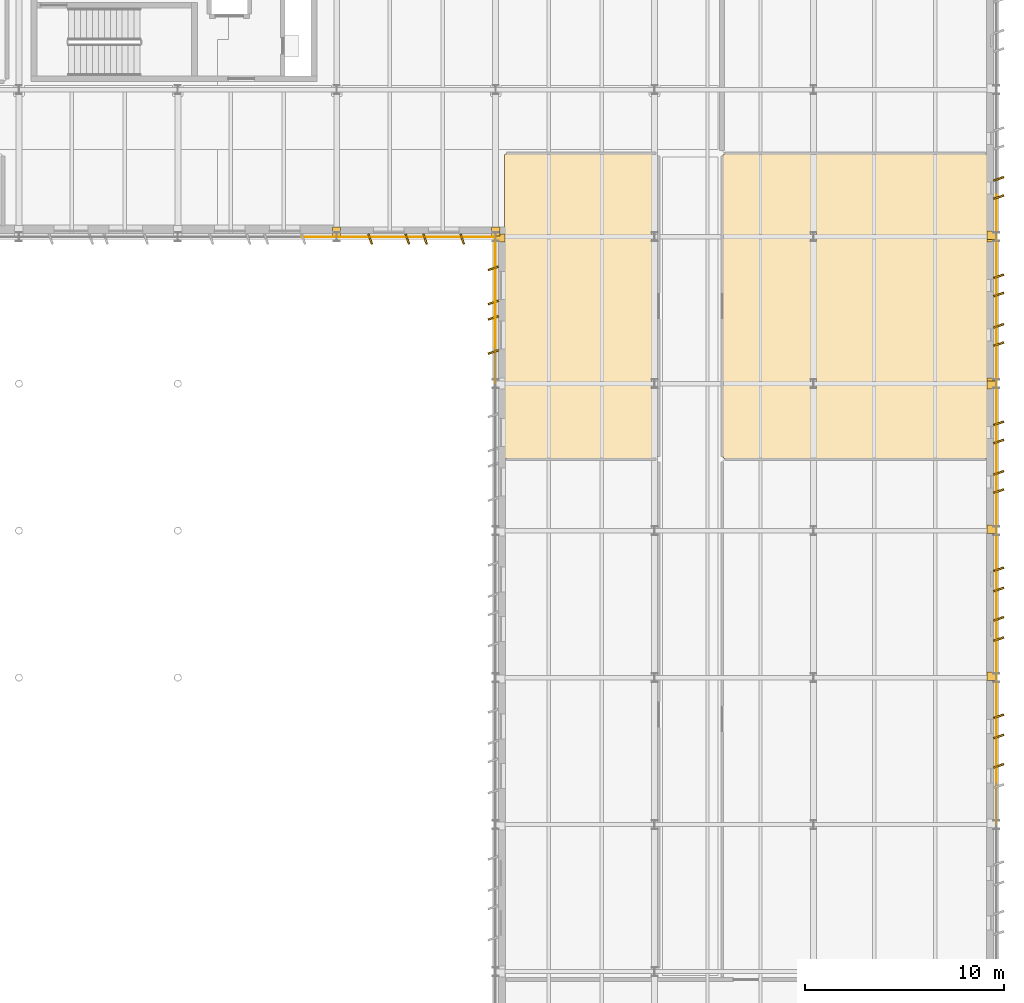
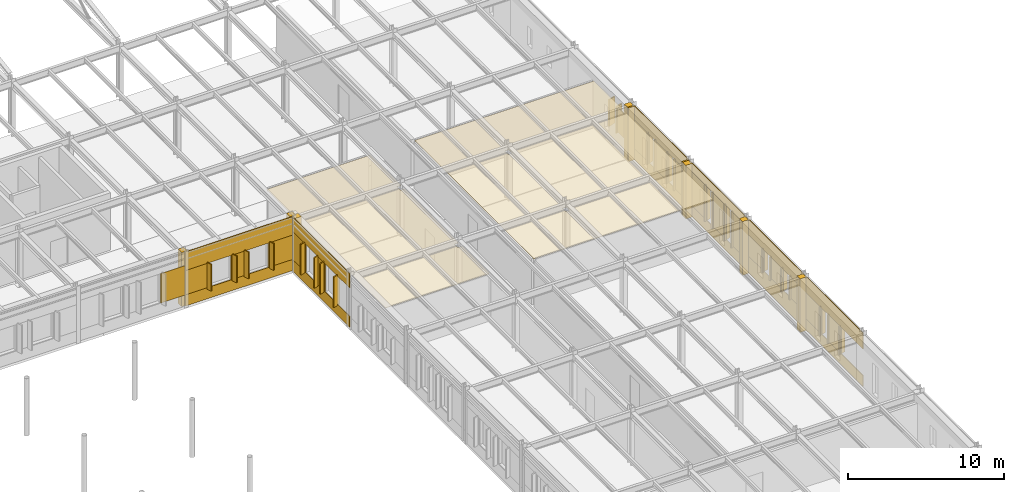
# One storey, part 73 of 75: 66 coverings.
"""IFC4 building model written with IfcOpenShell, lengths in metres."""

import ifcopenshell
import ifcopenshell.guid

model = None  # the IFC model being written
_history = None  # IfcOwnerHistory: only IFC2X3 demands one
_inside = {}  # id of a spatial element -> (the spatial element, [elements in it])
_under = {}  # id of a project, library or spatial element -> (it, [spatial elements below it])
_declared = {}  # id of a project -> (the project, [libraries it declares])
_typed = {}  # id of a type object -> (the type object, [elements of that type])
_made_of = {}  # id of a material, layer set ... -> (it, [elements and type objects made of it])


def new_model(schema):
    """Start an empty IFC model of exactly this schema.

    Asked for "IFC4X3", IfcOpenShell would pick the latest addendum, in which some entities
    have other attributes; the version numbers below select the first issue.
    IFC2X3 requires an IfcOwnerHistory on every rooted entity: one is made here for all.
    """
    global model, _history
    if schema == "IFC4X3":
        model = ifcopenshell.file(schema_version=(4, 3, 0, 0))
    else:
        model = ifcopenshell.file(schema=schema)
    _inside.clear()
    _under.clear()
    _declared.clear()
    _typed.clear()
    _made_of.clear()
    _history = None
    if model.schema == "IFC2X3":
        org = make("IfcOrganization", Name="unknown")
        user = make(
            "IfcPersonAndOrganization",
            ThePerson=make("IfcPerson", FamilyName="unknown"),
            TheOrganization=org,
        )
        app = make(
            "IfcApplication",
            ApplicationDeveloper=org,
            Version="unknown",
            ApplicationFullName="unknown",
            ApplicationIdentifier="unknown",
        )
        _history = make(
            "IfcOwnerHistory",
            OwningUser=user,
            OwningApplication=app,
            ChangeAction="ADDED",
            CreationDate=0,
        )
    return model


def make(cls, **values):
    """One entity of the class cls with the attributes given. An attribute that is None is left unset."""
    return model.create_entity(
        cls, **{name: value for name, value in values.items() if value is not None}
    )


def rooted(cls, **values):
    """An entity with a GlobalId (a new one), such as an element, a storey or a relation."""
    return make(cls, GlobalId=ifcopenshell.guid.new(), OwnerHistory=_history, **values)


def si_unit(unit_type, name, prefix=None):
    """IfcSIUnit, for example si_unit("LENGTHUNIT", "METRE", prefix="MILLI")."""
    return make("IfcSIUnit", UnitType=unit_type, Prefix=prefix, Name=name)


def assignment(units):
    """IfcUnitAssignment: the units of a project."""
    return None if units is None else make("IfcUnitAssignment", Units=units)


def point(xyz):
    """IfcCartesianPoint."""
    return None if xyz is None else make("IfcCartesianPoint", Coordinates=xyz)


def direction(xyz):
    """IfcDirection."""
    return None if xyz is None else make("IfcDirection", DirectionRatios=xyz)


def frame(location, z_axis=None, x_axis=None):
    """IfcAxis2Placement3D, a coordinate frame: its origin and axes. An axis left out is left unset."""
    return make(
        "IfcAxis2Placement3D",
        Location=point(location),
        Axis=direction(z_axis),
        RefDirection=direction(x_axis),
    )


def frame_2d(location, x_axis=None):
    """IfcAxis2Placement2D, a coordinate frame in the plane: its origin and x axis."""
    return make(
        "IfcAxis2Placement2D", Location=point(location), RefDirection=direction(x_axis)
    )


def origin():
    """The frame at (0, 0, 0) with its axes left unset."""
    return frame((0.0, 0.0, 0.0))


def origin_2d():
    """The frame at (0, 0) in the plane with its x axis left unset."""
    return frame_2d((0.0, 0.0))


def place(relative_to, where):
    """IfcLocalPlacement: puts the frame where relative to a parent placement (None: the world)."""
    return make(
        "IfcLocalPlacement", PlacementRelTo=relative_to, RelativePlacement=where
    )


def context(
    kind, dimensions, precision=None, world=None, true_north=None, identifier=None
):
    """IfcGeometricRepresentationContext, for example the 3D "Model" context."""
    return make(
        "IfcGeometricRepresentationContext",
        ContextIdentifier=identifier,
        ContextType=kind,
        CoordinateSpaceDimension=dimensions,
        Precision=precision,
        WorldCoordinateSystem=world,
        TrueNorth=true_north,
    )


def subcontext(parent, identifier, kind, view, scale=None):
    """IfcGeometricRepresentationSubContext, for example "Body" below "Model"."""
    return make(
        "IfcGeometricRepresentationSubContext",
        ContextIdentifier=identifier,
        ContextType=kind,
        ParentContext=parent,
        TargetScale=scale,
        TargetView=view,
    )


def project(units=None, contexts=None):
    """IfcProject with its units and contexts."""
    return rooted(
        "IfcProject",
        Name="project",
        RepresentationContexts=contexts,
        UnitsInContext=assignment(units),
    )


def spatial(cls, under=None, at=None, **own):
    """A site, building, storey or space (cls), placed at a placement, below another one or the project."""
    s = rooted(cls, ObjectPlacement=at, **own)
    if under is not None:
        _under.setdefault(under.id(), (under, []))[1].append(s)
    return s


def polyline(points):
    """IfcPolyline through the points."""
    return make("IfcPolyline", Points=[point(p) for p in points])


def profile(cls, at=None, kind="AREA", **sizes):
    """A parametric profile (cls). Its sizes go by their IFC names, for example OverallWidth=200.0."""
    return make(cls, ProfileType=kind, Position=at, **sizes)


def rectangle(**sizes):
    """IfcRectangleProfileDef."""
    return profile("IfcRectangleProfileDef", **sizes)


def outline(outer, holes=None, kind="AREA"):
    """IfcArbitraryClosedProfileDef: a profile drawn as a closed curve; with holes, ...WithVoids."""
    if holes is None:
        return make("IfcArbitraryClosedProfileDef", ProfileType=kind, OuterCurve=outer)
    return make(
        "IfcArbitraryProfileDefWithVoids",
        ProfileType=kind,
        OuterCurve=outer,
        InnerCurves=holes,
    )


def extrude(swept, where, along, depth):
    """IfcExtrudedAreaSolid: the profile swept, set in the frame where, extruded along a direction by depth."""
    return make(
        "IfcExtrudedAreaSolid",
        SweptArea=swept,
        Position=where,
        ExtrudedDirection=direction(along),
        Depth=depth,
    )


def shape(context_of_items, identifier, shape_type, items):
    """IfcShapeRepresentation: the items that make up one representation, for example the "Body"."""
    return make(
        "IfcShapeRepresentation",
        ContextOfItems=context_of_items,
        RepresentationIdentifier=identifier,
        RepresentationType=shape_type,
        Items=items,
    )


def material(Name=None, Category=None):
    """IfcMaterial."""
    return make("IfcMaterial", Name=Name, Category=Category)


def layer(
    of_material, thickness, ventilated=None, Name=None, Category=None, Priority=None
):
    """IfcMaterialLayer: one layer of a wall or slab, of a material (None: an air gap)."""
    return make(
        "IfcMaterialLayer",
        Material=of_material,
        LayerThickness=thickness,
        IsVentilated=ventilated,
        Name=Name,
        Category=Category,
        Priority=Priority,
    )


def layer_set(layers, Name=None):
    """IfcMaterialLayerSet."""
    return make("IfcMaterialLayerSet", MaterialLayers=layers, LayerSetName=Name)


def made_of(thing, what):
    """Note that an element or type object is made of a material, layer set ...; save() writes the relation."""
    if what is not None:
        _made_of.setdefault(what.id(), (what, []))[1].append(thing)
    return thing


def type_object(cls, material=None, **own):
    """A type object (cls), such as IfcWallType, which elements share."""
    return made_of(rooted(cls, **own), material)


def element(
    cls,
    number,
    at=None,
    inside=None,
    cuts=None,
    type_object=None,
    material=None,
    context=None,
    identifier="Body",
    shape_type=None,
    held_by="IfcProductDefinitionShape",
    body=None,
    shapes=None,
    **own,
):
    """One element of the class cls, such as IfcWall. Its Tag is "e" and its number.

    at: its placement. inside: the storey or other place that contains it. cuts: it is an
    opening in that element (IfcRelVoidsElement). A single representation is given by context,
    identifier, shape_type and body (its items); several are given by shapes. held_by: the class
    of the entity that holds the representations. save() writes the other relations.
    """
    e = rooted(cls, Tag="e%d" % number, ObjectPlacement=at, **own)
    if body is not None:
        shapes = [shape(context, identifier, shape_type, body)]
    if shapes is not None:
        e.Representation = make(held_by, Representations=shapes)
    if inside is not None:
        _inside.setdefault(inside.id(), (inside, []))[1].append(e)
    if cuts is not None:
        rooted(
            "IfcRelVoidsElement", RelatingBuildingElement=cuts, RelatedOpeningElement=e
        )
    if type_object is not None:
        _typed.setdefault(type_object.id(), (type_object, []))[1].append(e)
    return made_of(e, material)


def aggregate(whole, parts):
    """IfcRelAggregates: a whole, such as a stair, and the parts it consists of."""
    return rooted("IfcRelAggregates", RelatingObject=whole, RelatedObjects=parts)


def save(model, path):
    """Write the relations noted so far, then the file.

    IfcRelAggregates (storeys below a building ...), IfcRelContainedInSpatialStructure (elements
    in a storey), IfcRelDefinesByType, IfcRelAssociatesMaterial and IfcRelDeclares: one each for
    every whole, place, type object, material and project.
    """
    for whole, parts in _under.values():
        aggregate(whole, parts)
    for where, things in _inside.values():
        rooted(
            "IfcRelContainedInSpatialStructure",
            RelatedElements=things,
            RelatingStructure=where,
        )
    for kind, things in _typed.values():
        rooted("IfcRelDefinesByType", RelatedObjects=things, RelatingType=kind)
    for what, things in _made_of.values():
        rooted("IfcRelAssociatesMaterial", RelatedObjects=things, RelatingMaterial=what)
    for by, libraries in _declared.values():
        rooted("IfcRelDeclares", RelatingContext=by, RelatedDefinitions=libraries)
    model.write(path)


model = new_model("IFC4")

# Units and contexts
model_context = context("Model", 3, precision=1e-05, world=origin(), true_north=direction((0.0, 1.0)))
body_context = subcontext(model_context, "Body", "Model", "MODEL_VIEW")
ifc_project = project(units=[si_unit("LENGTHUNIT", "METRE"), si_unit("AREAUNIT", "SQUARE_METRE"), si_unit("VOLUMEUNIT", "CUBIC_METRE"), si_unit("PLANEANGLEUNIT", "RADIAN"), si_unit("MASSUNIT", "GRAM", prefix="KILO")], contexts=[model_context])

# Site, building, storey
site_placement = place(None, origin())
site = spatial("IfcSite", under=ifc_project, at=site_placement, CompositionType="ELEMENT")
building_placement = place(site_placement, origin())
building = spatial("IfcBuilding", under=site, at=building_placement, Name="Valkorina Park Police Headquarters", CompositionType="ELEMENT")
storey_placement = place(building_placement, frame((0.0, 0.0, 5.39990234375)))
storey = spatial("IfcBuildingStorey", under=building, at=storey_placement, Name="L02", CompositionType="ELEMENT", Elevation=5.39990234375)

# Coverings
ifc_material_1 = material(Name="Acoustic mineral board")
ifc_layer_1 = layer(ifc_material_1, 0.02490234375)
ifc_layer_set_1 = layer_set([ifc_layer_1], Name="Acoustic mineral board")
covering_type_1 = type_object("IfcCoveringType", Name="COV-CEILING-ACOUST", PredefinedType="CEILING", material=ifc_layer_set_1)
covering_1_placement = place(storey_placement, frame((0.0, 0.0, 3.625)))
element("IfcCovering", 1, at=covering_1_placement, inside=storey, type_object=covering_type_1, Name="Latent Fingerprint Enhancement Lab Acoustic Suspended Ceiling", PredefinedType="CEILING", context=body_context, shape_type="SweptSolid", body=[
    extrude(outline(polyline([(144.95849609375, 59.449462890625), (144.959716796875, 59.457275390625), (144.9599609375, 59.465087890625), (144.9599609375, 63.280029296875), (144.959716796875, 63.287841796875), (144.95849609375, 63.295654296875), (144.95654296875, 63.30322265625), (144.953857421875, 63.310546875), (144.95068359375, 63.317626953125), (144.946533203125, 63.324462890625), (144.94189453125, 63.330810546875), (144.9365234375, 63.336669921875), (144.930908203125, 63.341796875), (144.92431640625, 63.346435546875), (144.917724609375, 63.3505859375), (144.91064453125, 63.35400390625), (144.9033203125, 63.356689453125), (144.8955078125, 63.3583984375), (144.8876953125, 63.359619140625), (144.8798828125, 63.360107421875), (137.320068359375, 63.360107421875), (137.312255859375, 63.359619140625), (137.304443359375, 63.3583984375), (137.296875, 63.356689453125), (137.289306640625, 63.35400390625), (137.2822265625, 63.3505859375), (137.275634765625, 63.346435546875), (137.269287109375, 63.341796875), (137.263427734375, 63.336669921875), (137.25830078125, 63.330810546875), (137.25341796875, 63.324462890625), (137.24951171875, 63.317626953125), (137.24609375, 63.310546875), (137.243408203125, 63.30322265625), (137.241455078125, 63.295654296875), (137.240478515625, 63.287841796875), (137.239990234375, 63.280029296875), (137.239990234375, 48.1201171875), (137.240478515625, 48.1123046875), (137.241455078125, 48.1044921875), (137.243408203125, 48.0966796875), (137.24609375, 48.08935546875), (137.24951171875, 48.082275390625), (137.25341796875, 48.07568359375), (137.25830078125, 48.069091796875), (137.263427734375, 48.0634765625), (137.269287109375, 48.05810546875), (137.275634765625, 48.053466796875), (137.2822265625, 48.04931640625), (137.289306640625, 48.046142578125), (137.296875, 48.04345703125), (137.304443359375, 48.04150390625), (137.312255859375, 48.040283203125), (137.320068359375, 48.0400390625), (144.8798828125, 48.0400390625), (144.8876953125, 48.040283203125), (144.8955078125, 48.04150390625), (144.9033203125, 48.04345703125), (144.91064453125, 48.046142578125), (144.917724609375, 48.04931640625), (144.92431640625, 48.053466796875), (144.930908203125, 48.05810546875), (144.9365234375, 48.0634765625), (144.94189453125, 48.069091796875), (144.946533203125, 48.07568359375), (144.95068359375, 48.082275390625), (144.953857421875, 48.08935546875), (144.95654296875, 48.0966796875), (144.95849609375, 48.1044921875), (144.959716796875, 48.1123046875), (144.9599609375, 48.1201171875), (144.9599609375, 51.534912109375), (144.959716796875, 51.542724609375), (144.95849609375, 51.550537109375), (144.95654296875, 51.55810546875), (144.953857421875, 51.565673828125), (144.95068359375, 51.57275390625), (144.94921875, 51.574951171875), (144.64990234375, 51.574951171875), (144.64990234375, 52.02490234375), (144.94921875, 52.02490234375), (144.95068359375, 52.02734375), (144.953857421875, 52.034423828125), (144.95654296875, 52.041748046875), (144.95849609375, 52.04931640625), (144.959716796875, 52.05712890625), (144.9599609375, 52.06494140625), (144.9599609375, 58.93505859375), (144.959716796875, 58.94287109375), (144.95849609375, 58.95068359375), (144.95654296875, 58.958251953125), (144.953857421875, 58.965576171875), (144.95068359375, 58.97265625), (144.94921875, 58.97509765625), (144.64990234375, 58.97509765625), (144.64990234375, 59.425048828125), (144.94921875, 59.425048828125), (144.95068359375, 59.42724609375), (144.953857421875, 59.434326171875), (144.95654296875, 59.44189453125), (144.95849609375, 59.449462890625)])), origin(), (0.0, 0.0, 1.0), 0.025146484375),
])
covering_2_placement = place(storey_placement, frame((0.0, 0.0, 3.625)))
element("IfcCovering", 2, at=covering_2_placement, inside=storey, type_object=covering_type_1, Name="Questioned Documents Laboratory Acoustic Suspended Ceiling", PredefinedType="CEILING", context=body_context, shape_type="SweptSolid", body=[
    extrude(outline(polyline([(161.55859375, 48.1044921875), (161.5595703125, 48.1123046875), (161.56005859375, 48.1201171875), (161.56005859375, 63.280029296875), (161.5595703125, 63.287841796875), (161.55859375, 63.295654296875), (161.556640625, 63.30322265625), (161.553955078125, 63.310546875), (161.550537109375, 63.317626953125), (161.54638671875, 63.324462890625), (161.541748046875, 63.330810546875), (161.53662109375, 63.336669921875), (161.53076171875, 63.341796875), (161.5244140625, 63.346435546875), (161.517578125, 63.3505859375), (161.510498046875, 63.35400390625), (161.503173828125, 63.356689453125), (161.49560546875, 63.3583984375), (161.48779296875, 63.359619140625), (161.47998046875, 63.360107421875), (148.320068359375, 63.360107421875), (148.312255859375, 63.359619140625), (148.304443359375, 63.3583984375), (148.296875, 63.356689453125), (148.289306640625, 63.35400390625), (148.2822265625, 63.3505859375), (148.275634765625, 63.346435546875), (148.269287109375, 63.341796875), (148.263427734375, 63.336669921875), (148.25830078125, 63.330810546875), (148.25341796875, 63.324462890625), (148.24951171875, 63.317626953125), (148.24609375, 63.310546875), (148.243408203125, 63.30322265625), (148.241455078125, 63.295654296875), (148.240478515625, 63.287841796875), (148.239990234375, 63.280029296875), (148.239990234375, 48.1201171875), (148.240478515625, 48.1123046875), (148.241455078125, 48.1044921875), (148.243408203125, 48.0966796875), (148.24609375, 48.08935546875), (148.24951171875, 48.082275390625), (148.25341796875, 48.07568359375), (148.25830078125, 48.069091796875), (148.263427734375, 48.0634765625), (148.269287109375, 48.05810546875), (148.275634765625, 48.053466796875), (148.2822265625, 48.04931640625), (148.289306640625, 48.046142578125), (148.296875, 48.04345703125), (148.304443359375, 48.04150390625), (148.312255859375, 48.040283203125), (148.320068359375, 48.0400390625), (161.47998046875, 48.0400390625), (161.48779296875, 48.040283203125), (161.49560546875, 48.04150390625), (161.503173828125, 48.04345703125), (161.510498046875, 48.046142578125), (161.517578125, 48.04931640625), (161.5244140625, 48.053466796875), (161.53076171875, 48.05810546875), (161.53662109375, 48.0634765625), (161.541748046875, 48.069091796875), (161.54638671875, 48.07568359375), (161.550537109375, 48.082275390625), (161.553955078125, 48.08935546875), (161.556640625, 48.0966796875), (161.55859375, 48.1044921875)]), holes=[polyline([(152.949951171875, 51.574951171875), (152.64990234375, 51.574951171875), (152.64990234375, 52.02490234375), (152.949951171875, 52.02490234375), (152.949951171875, 51.574951171875)]), polyline([(152.949951171875, 58.97509765625), (152.64990234375, 58.97509765625), (152.64990234375, 59.425048828125), (152.949951171875, 59.425048828125), (152.949951171875, 58.97509765625)])]), origin(), (0.0, 0.0, 1.0), 0.025146484375),
])
ifc_material_2 = material(Name="Precast concrete C40/50", Category="concrete")
ifc_layer_2 = layer(ifc_material_2, 0.044921875)
ifc_layer_set_2 = layer_set([ifc_layer_2], Name="Precast concrete C40/50")
covering_type_2 = type_object("IfcCoveringType", Name="COV-CLAD-DOLOMITE", PredefinedType="CLADDING", material=ifc_layer_set_2)
covering_3_placement = place(storey_placement, frame((161.75, 59.264892578125, 0.0), z_axis=(0.0, 0.0, 1.0), x_axis=(0.0, 1.0, 0.0)))
element("IfcCovering", 3, at=covering_3_placement, inside=storey, type_object=covering_type_2, Name="L02 Exterior Joint Closure Pilaster B 1459", PredefinedType="CLADDING", context=body_context, shape_type="SweptSolid", body=[
    extrude(rectangle(XDim=0.419921875, YDim=0.449951171875, at=origin_2d()), origin(), (0.0, 0.0, 1.0), 4.199951171875),
])
for number, where, z_axis, x_axis, name in (
    (4, (162.1201171875, 62.112548828125, 0.7802734375), (0.0, 0.0, 1.0), (0.948323655206, 0.317304656405, 0.0), "Slanted 18.5-deg Precast Window Slot Fin 1462"),
    (5, (162.1201171875, 61.192626953125, 0.7802734375), (0.0, 0.0, 1.0), (0.948323655206, 0.317304656405, 0.0), "Slanted 18.5-deg Precast Window Slot Fin 1463"),
):
    element("IfcCovering", number, at=place(storey_placement, frame(where, z_axis=z_axis, x_axis=x_axis)), inside=storey, type_object=covering_type_2, Name=name, PredefinedType="CLADDING", context=body_context, shape_type="SweptSolid", body=[
        extrude(rectangle(XDim=0.5400390625, YDim=0.090087890625, at=origin_2d()), origin(), (0.0, 0.0, 1.0), 2.090087890625),
    ])
covering_4_placement = place(storey_placement, frame((162.014892578125, 61.302490234375, 0.8701171875), z_axis=(0.0, 0.0, 1.0), x_axis=(0.0, -1.0, 0.0)))
element("IfcCovering", 6, at=covering_4_placement, inside=storey, type_object=covering_type_2, Name="L02 Calm Concrete Base Slot Pier 1468", PredefinedType="CLADDING", context=body_context, shape_type="SweptSolid", body=[
    extrude(rectangle(XDim=2.08251953125, YDim=0.044921875, at=frame_2d((1.041259765625, 0.0))), origin(), (0.0, 0.0, 1.0), 1.909912109375),
])
for number, where, z_axis, x_axis, name in (
    (7, (161.75, 59.135009765625, 0.0), (0.0, 0.0, 1.0), (0.0, 1.0, 0.0), "L02 Exterior Joint Closure Pilaster A 1469"),
    (8, (161.75, 51.864990234375, 0.0), (0.0, 0.0, 1.0), (0.0, 1.0, 0.0), "L02 Exterior Joint Closure Pilaster B 1470"),
):
    element("IfcCovering", number, at=place(storey_placement, frame(where, z_axis=z_axis, x_axis=x_axis)), inside=storey, type_object=covering_type_2, Name=name, PredefinedType="CLADDING", context=body_context, shape_type="SweptSolid", body=[
        extrude(rectangle(XDim=0.419921875, YDim=0.449951171875, at=origin_2d()), origin(), (0.0, 0.0, 1.0), 4.199951171875),
    ])
for number, where, z_axis, x_axis, name in (
    (9, (162.1201171875, 57.20751953125, 0.780029296875), (0.0, 0.0, 1.0), (0.948323655206, 0.317304656405, 0.0), "Slanted 18.5-deg Precast Window Slot Fin 1471"),
    (10, (162.1201171875, 56.287353515625, 0.780029296875), (0.0, 0.0, 1.0), (0.948323655206, 0.317304656405, 0.0), "Slanted 18.5-deg Precast Window Slot Fin 1472"),
    (11, (162.1201171875, 54.712646484375, 0.780029296875), (0.0, 0.0, 1.0), (0.948323655206, 0.317304656405, 0.0), "Slanted 18.5-deg Precast Window Slot Fin 1473"),
    (12, (162.1201171875, 53.79248046875, 0.780029296875), (0.0, 0.0, 1.0), (0.948323655206, 0.317304656405, 0.0), "Slanted 18.5-deg Precast Window Slot Fin 1474"),
):
    element("IfcCovering", number, at=place(storey_placement, frame(where, z_axis=z_axis, x_axis=x_axis)), inside=storey, type_object=covering_type_2, Name=name, PredefinedType="CLADDING", context=body_context, shape_type="SweptSolid", body=[
        extrude(rectangle(XDim=0.5400390625, YDim=0.090087890625, at=origin_2d()), origin(), (0.0, 0.0, 1.0), 2.43994140625),
    ])
covering_5_placement = place(storey_placement, frame((162.014892578125, 59.179931640625, 0.0), z_axis=(0.0, 0.0, 1.0), x_axis=(0.0, -1.0, 0.0)))
element("IfcCovering", 13, at=covering_5_placement, inside=storey, type_object=covering_type_2, Name="L02 Calm Concrete Base Sill Spandrel 1475", PredefinedType="CLADDING", context=body_context, shape_type="SweptSolid", body=[
    extrude(rectangle(XDim=7.35986328125, YDim=0.044921875, at=frame_2d((3.679931640625, 0.0))), origin(), (0.0, 0.0, 1.0), 0.8701171875),
])
covering_6_placement = place(storey_placement, frame((162.014892578125, 59.179931640625, 3.130126953125), z_axis=(0.0, 0.0, 1.0), x_axis=(0.0, -1.0, 0.0)))
element("IfcCovering", 14, at=covering_6_placement, inside=storey, type_object=covering_type_2, Name="L02 Calm Concrete Base Lintel Spandrel 1476", PredefinedType="CLADDING", context=body_context, shape_type="SweptSolid", body=[
    extrude(rectangle(XDim=7.35986328125, YDim=0.044921875, at=frame_2d((3.679931640625, 0.0))), origin(), (0.0, 0.0, 1.0), 1.070068359375),
])
covering_7_placement = place(storey_placement, frame((162.014892578125, 59.179931640625, 0.8701171875), z_axis=(0.0, 0.0, 1.0), x_axis=(0.0, -1.0, 0.0)))
element("IfcCovering", 15, at=covering_7_placement, inside=storey, type_object=covering_type_2, Name="L02 Calm Concrete Base Slot Pier 1477", PredefinedType="CLADDING", context=body_context, shape_type="SweptSolid", body=[
    extrude(rectangle(XDim=2.08251953125, YDim=0.044921875, at=frame_2d((1.041259765625, 0.0))), origin(), (0.0, 0.0, 1.0), 2.260009765625),
])
covering_8_placement = place(storey_placement, frame((162.014892578125, 56.3974609375, 0.8701171875), z_axis=(0.0, 0.0, 1.0), x_axis=(0.0, -1.0, 0.0)))
element("IfcCovering", 16, at=covering_8_placement, inside=storey, type_object=covering_type_2, Name="L02 Calm Concrete Base Slot Pier 1478", PredefinedType="CLADDING", context=body_context, shape_type="SweptSolid", body=[
    extrude(rectangle(XDim=1.794921875, YDim=0.044921875, at=frame_2d((0.8974609375, 0.0))), origin(), (0.0, 0.0, 1.0), 2.260009765625),
])
covering_9_placement = place(storey_placement, frame((162.014892578125, 53.902587890625, 0.8701171875), z_axis=(0.0, 0.0, 1.0), x_axis=(0.0, -1.0, 0.0)))
element("IfcCovering", 17, at=covering_9_placement, inside=storey, type_object=covering_type_2, Name="L02 Calm Concrete Base Slot Pier 1479", PredefinedType="CLADDING", context=body_context, shape_type="SweptSolid", body=[
    extrude(rectangle(XDim=2.08251953125, YDim=0.044921875, at=frame_2d((1.041259765625, 0.0))), origin(), (0.0, 0.0, 1.0), 2.260009765625),
])
for number, where, z_axis, x_axis, name in (
    (18, (161.75, 51.735107421875, 0.0), (0.0, 0.0, 1.0), (0.0, 1.0, 0.0), "L02 Exterior Joint Closure Pilaster A 1480"),
    (19, (161.75, 44.465087890625, 0.0), (0.0, 0.0, 1.0), (0.0, 1.0, 0.0), "L02 Exterior Joint Closure Pilaster B 1481"),
):
    element("IfcCovering", number, at=place(storey_placement, frame(where, z_axis=z_axis, x_axis=x_axis)), inside=storey, type_object=covering_type_2, Name=name, PredefinedType="CLADDING", context=body_context, shape_type="SweptSolid", body=[
        extrude(rectangle(XDim=0.419921875, YDim=0.449951171875, at=origin_2d()), origin(), (0.0, 0.0, 1.0), 4.199951171875),
    ])
for number, where, z_axis, x_axis, name in (
    (20, (162.1201171875, 49.807373046875, 0.7802734375), (0.0, 0.0, 1.0), (0.948323655206, 0.317304656405, 0.0), "Slanted 18.5-deg Precast Window Slot Fin 1482"),
    (21, (162.1201171875, 48.887451171875, 0.7802734375), (0.0, 0.0, 1.0), (0.948323655206, 0.317304656405, 0.0), "Slanted 18.5-deg Precast Window Slot Fin 1483"),
    (22, (162.1201171875, 47.3125, 0.7802734375), (0.0, 0.0, 1.0), (0.948323655206, 0.317304656405, 0.0), "Slanted 18.5-deg Precast Window Slot Fin 1484"),
    (23, (162.1201171875, 46.392578125, 0.7802734375), (0.0, 0.0, 1.0), (0.948323655206, 0.317304656405, 0.0), "Slanted 18.5-deg Precast Window Slot Fin 1485"),
):
    element("IfcCovering", number, at=place(storey_placement, frame(where, z_axis=z_axis, x_axis=x_axis)), inside=storey, type_object=covering_type_2, Name=name, PredefinedType="CLADDING", context=body_context, shape_type="SweptSolid", body=[
        extrude(rectangle(XDim=0.5400390625, YDim=0.090087890625, at=origin_2d()), origin(), (0.0, 0.0, 1.0), 2.840087890625),
    ])
covering_10_placement = place(storey_placement, frame((162.014892578125, 51.780029296875, 0.0), z_axis=(0.0, 0.0, 1.0), x_axis=(0.0, -1.0, 0.0)))
element("IfcCovering", 24, at=covering_10_placement, inside=storey, type_object=covering_type_2, Name="L02 Calm Concrete Base Sill Spandrel 1486", PredefinedType="CLADDING", context=body_context, shape_type="SweptSolid", body=[
    extrude(rectangle(XDim=7.360107421875, YDim=0.044921875, at=frame_2d((3.68017578125, 0.0))), origin(), (0.0, 0.0, 1.0), 0.8701171875),
])
covering_11_placement = place(storey_placement, frame((162.014892578125, 51.780029296875, 3.530029296875), z_axis=(0.0, 0.0, 1.0), x_axis=(0.0, -1.0, 0.0)))
element("IfcCovering", 25, at=covering_11_placement, inside=storey, type_object=covering_type_2, Name="L02 Calm Concrete Base Lintel Spandrel 1487", PredefinedType="CLADDING", context=body_context, shape_type="SweptSolid", body=[
    extrude(rectangle(XDim=7.360107421875, YDim=0.044921875, at=frame_2d((3.68017578125, 0.0))), origin(), (0.0, 0.0, 1.0), 0.670166015625),
])
covering_12_placement = place(storey_placement, frame((162.014892578125, 51.780029296875, 0.8701171875), z_axis=(0.0, 0.0, 1.0), x_axis=(0.0, -1.0, 0.0)))
element("IfcCovering", 26, at=covering_12_placement, inside=storey, type_object=covering_type_2, Name="L02 Calm Concrete Base Slot Pier 1488", PredefinedType="CLADDING", context=body_context, shape_type="SweptSolid", body=[
    extrude(rectangle(XDim=2.08251953125, YDim=0.044921875, at=frame_2d((1.041259765625, 0.0))), origin(), (0.0, 0.0, 1.0), 2.659912109375),
])
covering_13_placement = place(storey_placement, frame((162.014892578125, 48.997314453125, 0.8701171875), z_axis=(0.0, 0.0, 1.0), x_axis=(0.0, -1.0, 0.0)))
element("IfcCovering", 27, at=covering_13_placement, inside=storey, type_object=covering_type_2, Name="L02 Calm Concrete Base Slot Pier 1489", PredefinedType="CLADDING", context=body_context, shape_type="SweptSolid", body=[
    extrude(rectangle(XDim=1.794677734375, YDim=0.044921875, at=frame_2d((0.8974609375, 0.0))), origin(), (0.0, 0.0, 1.0), 2.659912109375),
])
covering_14_placement = place(storey_placement, frame((162.014892578125, 46.502685546875, 0.8701171875), z_axis=(0.0, 0.0, 1.0), x_axis=(0.0, -1.0, 0.0)))
element("IfcCovering", 28, at=covering_14_placement, inside=storey, type_object=covering_type_2, Name="L02 Calm Concrete Base Slot Pier 1490", PredefinedType="CLADDING", context=body_context, shape_type="SweptSolid", body=[
    extrude(rectangle(XDim=2.082763671875, YDim=0.044921875, at=frame_2d((1.04150390625, 0.0))), origin(), (0.0, 0.0, 1.0), 2.659912109375),
])
covering_15_placement = place(storey_placement, frame((161.75, 37.06494140625, 0.0), z_axis=(0.0, 0.0, 1.0), x_axis=(0.0, 1.0, 0.0)))
element("IfcCovering", 29, at=covering_15_placement, inside=storey, type_object=covering_type_2, Name="L02 Exterior Joint Closure Pilaster B 1491", PredefinedType="CLADDING", context=body_context, shape_type="SweptSolid", body=[
    extrude(rectangle(XDim=0.419921875, YDim=0.449951171875, at=origin_2d()), origin(), (0.0, 0.0, 1.0), 4.199951171875),
])
for number, where, z_axis, x_axis, name in (
    (30, (162.1201171875, 42.45751953125, 1.22998046875), (0.0, 0.0, 1.0), (0.948323655206, 0.317304656405, 0.0), "Slanted 18.5-deg Precast Window Slot Fin 1492"),
    (31, (162.1201171875, 41.4375, 1.22998046875), (0.0, 0.0, 1.0), (0.948323655206, 0.317304656405, 0.0), "Slanted 18.5-deg Precast Window Slot Fin 1493"),
    (32, (162.1201171875, 39.962646484375, 1.22998046875), (0.0, 0.0, 1.0), (0.948323655206, 0.317304656405, 0.0), "Slanted 18.5-deg Precast Window Slot Fin 1494"),
    (33, (162.1201171875, 38.942626953125, 1.22998046875), (0.0, 0.0, 1.0), (0.948323655206, 0.317304656405, 0.0), "Slanted 18.5-deg Precast Window Slot Fin 1495"),
):
    element("IfcCovering", number, at=place(storey_placement, frame(where, z_axis=z_axis, x_axis=x_axis)), inside=storey, type_object=covering_type_2, Name=name, PredefinedType="CLADDING", context=body_context, shape_type="SweptSolid", body=[
        extrude(rectangle(XDim=0.5400390625, YDim=0.090087890625, at=origin_2d()), origin(), (0.0, 0.0, 1.0), 1.840087890625),
    ])
covering_16_placement = place(storey_placement, frame((162.014892578125, 44.3798828125, 0.0), z_axis=(0.0, 0.0, 1.0), x_axis=(0.0, -1.0, 0.0)))
element("IfcCovering", 34, at=covering_16_placement, inside=storey, type_object=covering_type_2, Name="L02 Calm Concrete Base Sill Spandrel 1496", PredefinedType="CLADDING", context=body_context, shape_type="SweptSolid", body=[
    extrude(rectangle(XDim=7.35986328125, YDim=0.044921875, at=frame_2d((3.679931640625, 0.0))), origin(), (0.0, 0.0, 1.0), 1.320068359375),
])
covering_17_placement = place(storey_placement, frame((162.014892578125, 44.3798828125, 2.97998046875), z_axis=(0.0, 0.0, 1.0), x_axis=(0.0, -1.0, 0.0)))
element("IfcCovering", 35, at=covering_17_placement, inside=storey, type_object=covering_type_2, Name="L02 Calm Concrete Base Lintel Spandrel 1497", PredefinedType="CLADDING", context=body_context, shape_type="SweptSolid", body=[
    extrude(rectangle(XDim=7.35986328125, YDim=0.044921875, at=frame_2d((3.679931640625, 0.0))), origin(), (0.0, 0.0, 1.0), 1.22021484375),
])
covering_18_placement = place(storey_placement, frame((162.014892578125, 44.3798828125, 1.320068359375), z_axis=(0.0, 0.0, 1.0), x_axis=(0.0, -1.0, 0.0)))
element("IfcCovering", 36, at=covering_18_placement, inside=storey, type_object=covering_type_2, Name="L02 Calm Concrete Base Slot Pier 1498", PredefinedType="CLADDING", context=body_context, shape_type="SweptSolid", body=[
    extrude(rectangle(XDim=2.032470703125, YDim=0.044921875, at=frame_2d((1.01611328125, 0.0))), origin(), (0.0, 0.0, 1.0), 1.659912109375),
])
covering_19_placement = place(storey_placement, frame((162.014892578125, 41.54736328125, 1.320068359375), z_axis=(0.0, 0.0, 1.0), x_axis=(0.0, -1.0, 0.0)))
element("IfcCovering", 37, at=covering_19_placement, inside=storey, type_object=covering_type_2, Name="L02 Calm Concrete Base Slot Pier 1499", PredefinedType="CLADDING", context=body_context, shape_type="SweptSolid", body=[
    extrude(rectangle(XDim=1.69482421875, YDim=0.044921875, at=frame_2d((0.847412109375, 0.0))), origin(), (0.0, 0.0, 1.0), 1.659912109375),
])
covering_20_placement = place(storey_placement, frame((162.014892578125, 39.052490234375, 1.320068359375), z_axis=(0.0, 0.0, 1.0), x_axis=(0.0, -1.0, 0.0)))
element("IfcCovering", 38, at=covering_20_placement, inside=storey, type_object=covering_type_2, Name="L02 Calm Concrete Base Slot Pier 1500", PredefinedType="CLADDING", context=body_context, shape_type="SweptSolid", body=[
    extrude(rectangle(XDim=2.032470703125, YDim=0.044921875, at=frame_2d((1.01611328125, 0.0))), origin(), (0.0, 0.0, 1.0), 1.659912109375),
])
for number, where, z_axis, x_axis, name in (
    (39, (162.1201171875, 35.057373046875, 0.7802734375), (0.0, 0.0, 1.0), (0.948323655206, 0.317304656405, 0.0), "Slanted 18.5-deg Precast Window Slot Fin 1502"),
    (40, (162.1201171875, 34.037353515625, 0.7802734375), (0.0, 0.0, 1.0), (0.948323655206, 0.317304656405, 0.0), "Slanted 18.5-deg Precast Window Slot Fin 1503"),
    (41, (162.1201171875, 32.5625, 0.7802734375), (0.0, 0.0, 1.0), (0.948323655206, 0.317304656405, 0.0), "Slanted 18.5-deg Precast Window Slot Fin 1504"),
):
    element("IfcCovering", number, at=place(storey_placement, frame(where, z_axis=z_axis, x_axis=x_axis)), inside=storey, type_object=covering_type_2, Name=name, PredefinedType="CLADDING", context=body_context, shape_type="SweptSolid", body=[
        extrude(rectangle(XDim=0.5400390625, YDim=0.090087890625, at=origin_2d()), origin(), (0.0, 0.0, 1.0), 2.239990234375),
    ])
covering_21_placement = place(storey_placement, frame((162.014892578125, 36.97998046875, 0.0), z_axis=(0.0, 0.0, 1.0), x_axis=(0.0, -1.0, 0.0)))
element("IfcCovering", 42, at=covering_21_placement, inside=storey, type_object=covering_type_2, Name="L02 Calm Concrete Base Sill Spandrel 1506", PredefinedType="CLADDING", context=body_context, shape_type="SweptSolid", body=[
    extrude(rectangle(XDim=7.35986328125, YDim=0.044921875, at=frame_2d((3.679931640625, 0.0))), origin(), (0.0, 0.0, 1.0), 0.8701171875),
])
covering_22_placement = place(storey_placement, frame((162.014892578125, 36.97998046875, 2.93017578125), z_axis=(0.0, 0.0, 1.0), x_axis=(0.0, -1.0, 0.0)))
element("IfcCovering", 43, at=covering_22_placement, inside=storey, type_object=covering_type_2, Name="L02 Calm Concrete Base Lintel Spandrel 1507", PredefinedType="CLADDING", context=body_context, shape_type="SweptSolid", body=[
    extrude(rectangle(XDim=7.35986328125, YDim=0.044921875, at=frame_2d((3.679931640625, 0.0))), origin(), (0.0, 0.0, 1.0), 1.27001953125),
])
covering_23_placement = place(storey_placement, frame((162.014892578125, 36.97998046875, 0.8701171875), z_axis=(0.0, 0.0, 1.0), x_axis=(0.0, -1.0, 0.0)))
element("IfcCovering", 44, at=covering_23_placement, inside=storey, type_object=covering_type_2, Name="L02 Calm Concrete Base Slot Pier 1508", PredefinedType="CLADDING", context=body_context, shape_type="SweptSolid", body=[
    extrude(rectangle(XDim=2.032470703125, YDim=0.044921875, at=frame_2d((1.01611328125, 0.0))), origin(), (0.0, 0.0, 1.0), 2.06005859375),
])
covering_24_placement = place(storey_placement, frame((162.014892578125, 34.1474609375, 0.8701171875), z_axis=(0.0, 0.0, 1.0), x_axis=(0.0, -1.0, 0.0)))
element("IfcCovering", 45, at=covering_24_placement, inside=storey, type_object=covering_type_2, Name="L02 Calm Concrete Base Slot Pier 1509", PredefinedType="CLADDING", context=body_context, shape_type="SweptSolid", body=[
    extrude(rectangle(XDim=1.69482421875, YDim=0.044921875, at=frame_2d((0.847412109375, 0.0))), origin(), (0.0, 0.0, 1.0), 2.06005859375),
])
covering_25_placement = place(storey_placement, frame((137.050048828125, 59.135009765625, 0.0), z_axis=(0.0, 0.0, 1.0), x_axis=(0.0, 1.0, 0.0)))
element("IfcCovering", 46, at=covering_25_placement, inside=storey, type_object=covering_type_2, Name="L02 Exterior Joint Closure Pilaster B 1636", PredefinedType="CLADDING", context=body_context, shape_type="SweptSolid", body=[
    extrude(rectangle(XDim=0.419921875, YDim=0.449951171875, at=origin_2d()), origin(), (0.0, 0.0, 1.0), 4.199951171875),
])
for number, where, z_axis, x_axis, name in (
    (47, (136.679931640625, 53.392578125, 0.7802734375), (0.0, 0.0, 1.0), (-0.948323655206, -0.317304656405, 0.0), "Slanted 18.5-deg Precast Window Slot Fin 1637"),
    (48, (136.679931640625, 55.112548828125, 0.7802734375), (0.0, 0.0, 1.0), (-0.948323655206, -0.317304656405, 0.0), "Slanted 18.5-deg Precast Window Slot Fin 1638"),
    (49, (136.679931640625, 55.887451171875, 0.7802734375), (0.0, 0.0, 1.0), (-0.948323655206, -0.317304656405, 0.0), "Slanted 18.5-deg Precast Window Slot Fin 1639"),
    (50, (136.679931640625, 57.607421875, 0.7802734375), (0.0, 0.0, 1.0), (-0.948323655206, -0.317304656405, 0.0), "Slanted 18.5-deg Precast Window Slot Fin 1640"),
):
    element("IfcCovering", number, at=place(storey_placement, frame(where, z_axis=z_axis, x_axis=x_axis)), inside=storey, type_object=covering_type_2, Name=name, PredefinedType="CLADDING", context=body_context, shape_type="SweptSolid", body=[
        extrude(rectangle(XDim=0.5400390625, YDim=0.090087890625, at=origin_2d()), origin(), (0.0, 0.0, 1.0), 2.389892578125),
    ])
covering_26_placement = place(storey_placement, frame((136.784912109375, 51.820068359375, 0.0), z_axis=(0.0, 0.0, 1.0), x_axis=(0.0, 1.0, 0.0)))
element("IfcCovering", 51, at=covering_26_placement, inside=storey, type_object=covering_type_2, Name="L02 Calm Concrete Base Sill Spandrel 1641", PredefinedType="CLADDING", context=body_context, shape_type="SweptSolid", body=[
    extrude(rectangle(XDim=7.35986328125, YDim=0.044921875, at=frame_2d((3.679931640625, 0.0))), origin(), (0.0, 0.0, 1.0), 0.8701171875),
])
covering_27_placement = place(storey_placement, frame((136.784912109375, 51.820068359375, 3.080078125), z_axis=(0.0, 0.0, 1.0), x_axis=(0.0, 1.0, 0.0)))
element("IfcCovering", 52, at=covering_27_placement, inside=storey, type_object=covering_type_2, Name="L02 Calm Concrete Base Lintel Spandrel 1642", PredefinedType="CLADDING", context=body_context, shape_type="SweptSolid", body=[
    extrude(rectangle(XDim=7.35986328125, YDim=0.044921875, at=frame_2d((3.679931640625, 0.0))), origin(), (0.0, 0.0, 1.0), 1.1201171875),
])
covering_28_placement = place(storey_placement, frame((136.784912109375, 55.002685546875, 0.8701171875), z_axis=(0.0, 0.0, 1.0), x_axis=(0.0, 1.0, 0.0)))
element("IfcCovering", 53, at=covering_28_placement, inside=storey, type_object=covering_type_2, Name="L02 Calm Concrete Base Slot Pier 1644", PredefinedType="CLADDING", context=body_context, shape_type="SweptSolid", body=[
    extrude(rectangle(XDim=0.99462890625, YDim=0.044921875, at=frame_2d((0.497314453125, 0.0))), origin(), (0.0, 0.0, 1.0), 2.2099609375),
])
covering_29_placement = place(storey_placement, frame((136.784912109375, 57.497314453125, 0.8701171875), z_axis=(0.0, 0.0, 1.0), x_axis=(0.0, 1.0, 0.0)))
element("IfcCovering", 54, at=covering_29_placement, inside=storey, type_object=covering_type_2, Name="L02 Calm Concrete Base Slot Pier 1645", PredefinedType="CLADDING", context=body_context, shape_type="SweptSolid", body=[
    extrude(rectangle(XDim=1.6826171875, YDim=0.044921875, at=frame_2d((0.84130859375, 0.0))), origin(), (0.0, 0.0, 1.0), 2.2099609375),
])
for number, where, z_axis, x_axis, name in (
    (55, (136.81005859375, 59.449951171875, 0.0), (0.0, 0.0, 1.0), (1.0, 0.0, 0.0), "L02 Exterior Joint Closure Pilaster A 1646"),
    (56, (128.7900390625, 59.449951171875, 0.0), (0.0, 0.0, 1.0), (1.0, 0.0, 0.0), "L02 Exterior Joint Closure Pilaster B 1647"),
):
    element("IfcCovering", number, at=place(storey_placement, frame(where, z_axis=z_axis, x_axis=x_axis)), inside=storey, type_object=covering_type_2, Name=name, PredefinedType="CLADDING", context=body_context, shape_type="SweptSolid", body=[
        extrude(rectangle(XDim=0.419921875, YDim=0.449951171875, at=origin_2d()), origin(), (0.0, 0.0, 1.0), 4.239990234375),
    ])
for number, where, z_axis, x_axis, name in (
    (57, (135.117431640625, 59.080078125, 0.7802734375), (0.0, 0.0, 1.0), (0.317304656405, -0.948323655206, 0.0), "Slanted 18.5-deg Precast Window Slot Fin 1648"),
    (58, (133.247314453125, 59.080078125, 0.7802734375), (0.0, 0.0, 1.0), (0.317304656405, -0.948323655206, 0.0), "Slanted 18.5-deg Precast Window Slot Fin 1649"),
    (59, (132.3525390625, 59.080078125, 0.7802734375), (0.0, 0.0, 1.0), (0.317304656405, -0.948323655206, 0.0), "Slanted 18.5-deg Precast Window Slot Fin 1650"),
    (60, (130.482666015625, 59.080078125, 0.7802734375), (0.0, 0.0, 1.0), (0.317304656405, -0.948323655206, 0.0), "Slanted 18.5-deg Precast Window Slot Fin 1651"),
):
    element("IfcCovering", number, at=place(storey_placement, frame(where, z_axis=z_axis, x_axis=x_axis)), inside=storey, type_object=covering_type_2, Name=name, PredefinedType="CLADDING", context=body_context, shape_type="SweptSolid", body=[
        extrude(rectangle(XDim=0.5400390625, YDim=0.090087890625, at=origin_2d()), origin(), (0.0, 0.0, 1.0), 2.090087890625),
    ])
covering_30_placement = place(storey_placement, frame((136.780029296875, 59.18505859375, 0.0), z_axis=(0.0, 0.0, 1.0), x_axis=(-1.0, 0.0, 0.0)))
element("IfcCovering", 61, at=covering_30_placement, inside=storey, type_object=covering_type_2, Name="L02 Calm Concrete Base Sill Spandrel 1652", PredefinedType="CLADDING", context=body_context, shape_type="SweptSolid", body=[
    extrude(rectangle(XDim=7.9599609375, YDim=0.044921875, at=frame_2d((3.97998046875, 0.0))), origin(), (0.0, 0.0, 1.0), 0.8701171875),
])
covering_31_placement = place(storey_placement, frame((136.780029296875, 59.18505859375, 2.780029296875), z_axis=(0.0, 0.0, 1.0), x_axis=(-1.0, 0.0, 0.0)))
element("IfcCovering", 62, at=covering_31_placement, inside=storey, type_object=covering_type_2, Name="L02 Calm Concrete Base Lintel Spandrel 1653", PredefinedType="CLADDING", context=body_context, shape_type="SweptSolid", body=[
    extrude(rectangle(XDim=7.9599609375, YDim=0.044921875, at=frame_2d((3.97998046875, 0.0))), origin(), (0.0, 0.0, 1.0), 1.4599609375),
])
covering_32_placement = place(storey_placement, frame((136.780029296875, 59.18505859375, 0.8701171875), z_axis=(0.0, 0.0, 1.0), x_axis=(-1.0, 0.0, 0.0)))
element("IfcCovering", 63, at=covering_32_placement, inside=storey, type_object=covering_type_2, Name="L02 Calm Concrete Base Slot Pier 1654", PredefinedType="CLADDING", context=body_context, shape_type="SweptSolid", body=[
    extrude(rectangle(XDim=1.772705078125, YDim=0.044921875, at=frame_2d((0.88623046875, 0.0))), origin(), (0.0, 0.0, 1.0), 1.909912109375),
])
covering_33_placement = place(storey_placement, frame((133.357421875, 59.18505859375, 0.8701171875), z_axis=(0.0, 0.0, 1.0), x_axis=(-1.0, 0.0, 0.0)))
element("IfcCovering", 64, at=covering_33_placement, inside=storey, type_object=covering_type_2, Name="L02 Calm Concrete Base Slot Pier 1655", PredefinedType="CLADDING", context=body_context, shape_type="SweptSolid", body=[
    extrude(rectangle(XDim=1.11474609375, YDim=0.044921875, at=frame_2d((0.557373046875, 0.0))), origin(), (0.0, 0.0, 1.0), 1.909912109375),
])
covering_34_placement = place(storey_placement, frame((130.592529296875, 59.18505859375, 0.8701171875), z_axis=(0.0, 0.0, 1.0), x_axis=(-1.0, 0.0, 0.0)))
element("IfcCovering", 65, at=covering_34_placement, inside=storey, type_object=covering_type_2, Name="L02 Calm Concrete Base Slot Pier 1656", PredefinedType="CLADDING", context=body_context, shape_type="SweptSolid", body=[
    extrude(rectangle(XDim=1.7724609375, YDim=0.044921875, at=frame_2d((0.88623046875, 0.0))), origin(), (0.0, 0.0, 1.0), 1.909912109375),
])
covering_35_placement = place(storey_placement, frame((128.780029296875, 59.18505859375, 0.8701171875), z_axis=(0.0, 0.0, 1.0), x_axis=(-1.0, 0.0, 0.0)))
element("IfcCovering", 66, at=covering_35_placement, inside=storey, type_object=covering_type_2, Name="L02 Calm Concrete Base Slot Pier 1664", PredefinedType="CLADDING", context=body_context, shape_type="SweptSolid", body=[
    extrude(rectangle(XDim=1.772705078125, YDim=0.044921875, at=frame_2d((0.88623046875, 0.0))), origin(), (0.0, 0.0, 1.0), 2.31005859375),
])

save(model, "model.ifc")
